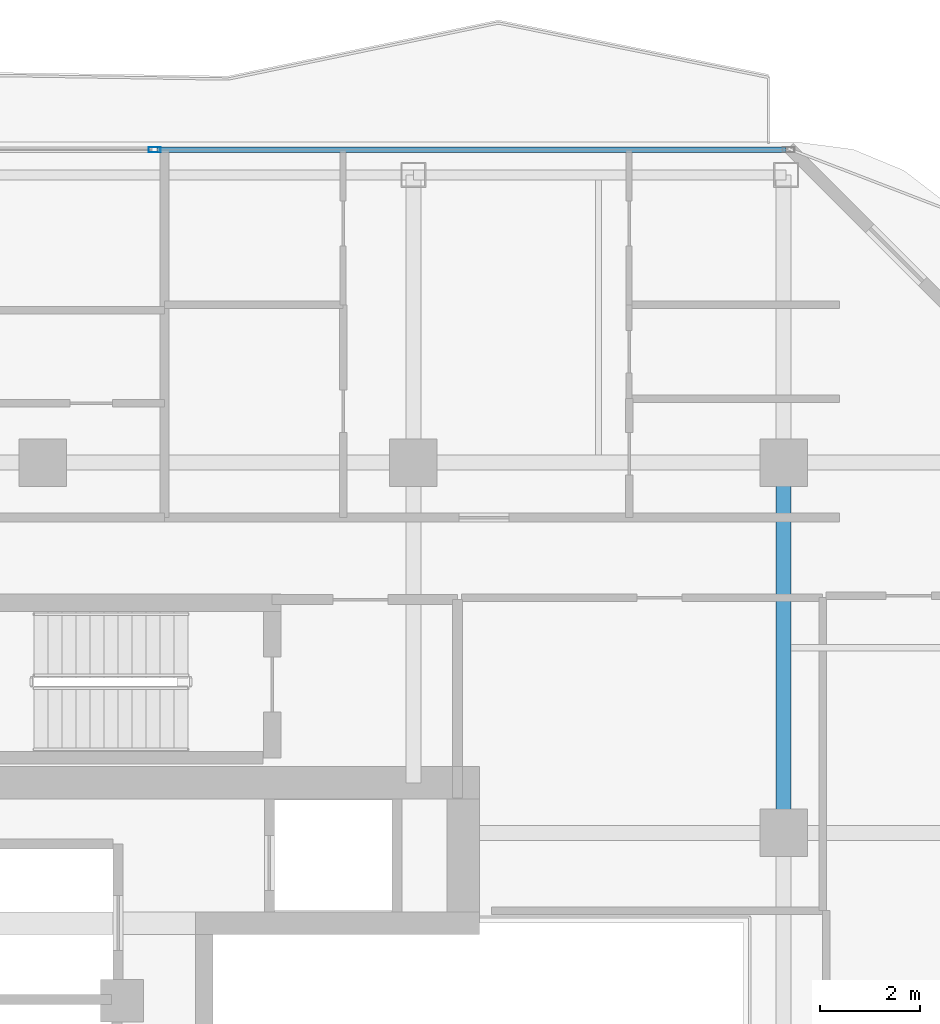
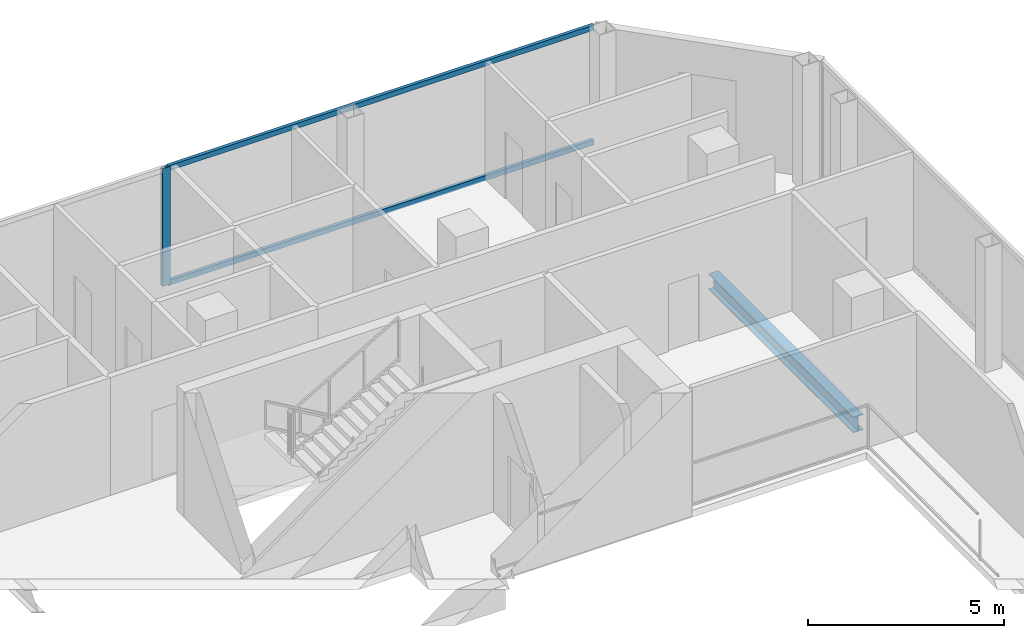
# One storey, part 13 of 23: 3 members, 1 beam, 1 element without a shape of its own.
"""IFC4 building model written with IfcOpenShell, lengths in metres."""

from ifc_helpers import new_model, si_unit, direction, frame, origin, origin_2d, place, context, subcontext, project, spatial, hollow_rectangle, i_section, extrude, material, layer, layer_set, material_profile, profile_set, type_object, element, aggregate, save


model = new_model("IFC4")

# Units and contexts
model_context = context("Model", 3, precision=1e-05, world=origin(), true_north=direction((0.0, 1.0)))
body_context = subcontext(model_context, "Body", "Model", "MODEL_VIEW")
ifc_project = project(units=[si_unit("LENGTHUNIT", "METRE"), si_unit("AREAUNIT", "SQUARE_METRE"), si_unit("VOLUMEUNIT", "CUBIC_METRE"), si_unit("PLANEANGLEUNIT", "RADIAN"), si_unit("MASSUNIT", "GRAM", prefix="KILO")], contexts=[model_context])

# Site, building, storey
site_placement = place(None, origin())
site = spatial("IfcSite", under=ifc_project, at=site_placement, CompositionType="ELEMENT")
building_placement = place(site_placement, origin())
building = spatial("IfcBuilding", under=site, at=building_placement, Name="Khorvyn Point Tower", CompositionType="ELEMENT")
storey_placement = place(building_placement, frame((0.0, 0.0, 297.60009765625)))
storey = spatial("IfcBuildingStorey", under=building, at=storey_placement, Name="L73", CompositionType="ELEMENT", Elevation=297.60009765625)

# Curtain wall, members
ifc_material_1 = material(Name="Anodised aluminium 6063-T6 and laminated Low-E glass", Category="aluminium")
ifc_layer = layer(ifc_material_1, 0.18994140625)
ifc_layer_set = layer_set([ifc_layer], Name="Stick-Built High-Wind Curtain Wall CW-SYS-04")
curtain_wall_type = type_object("IfcCurtainWallType", Name="Stick-Built High-Wind Curtain Wall CW-SYS-04", PredefinedType="NOTDEFINED", material=ifc_layer_set)
curtain_wall_placement = place(storey_placement, origin())
curtain_wall = element("IfcCurtainWall", 1, at=curtain_wall_placement, inside=storey, type_object=curtain_wall_type, Name="Curtain Wall", PredefinedType="NOTDEFINED")
ifc_material_2 = material(Name="Anodised aluminium 6063-T6", Category="aluminium")
ifc_material_profile_1 = material_profile(ifc_material_2, hollow_rectangle(XDim=0.10009765625, YDim=0.239990234375, WallThickness=0.0048828125, at=origin_2d()))
ifc_profile_set_1 = profile_set([ifc_material_profile_1], Name="Anodised aluminium 6063-T6 ALU-MUL-100x240")
member_type_1 = type_object("IfcMemberType", Name="Anodised Aluminium 6063-T6 Mullion ALU-MUL-100x240", PredefinedType="MULLION", material=ifc_profile_set_1)
member_1_placement = place(storey_placement, frame((2.22998046875, 21.050048828125, 0.0), z_axis=(0.0, 0.0, 1.0), x_axis=(0.0, 1.0, 0.0)))
member_1 = element("IfcMember", 2, at=member_1_placement, type_object=member_type_1, Name="Transom", PredefinedType="MULLION", context=body_context, shape_type="SweptSolid", body=[
    extrude(hollow_rectangle(XDim=0.10009765625, YDim=0.239990234375, WallThickness=0.0048828125, at=origin_2d()), origin(), (0.0, 0.0, 1.0), 3.679931640625),
])
ifc_material_profile_2 = material_profile(ifc_material_2, hollow_rectangle(XDim=0.10009765625, YDim=0.159912109375, WallThickness=0.00439453125, at=origin_2d()))
ifc_profile_set_2 = profile_set([ifc_material_profile_2], Name="Anodised aluminium 6063-T6 ALU-TRN-100x160")
member_type_2 = type_object("IfcMemberType", Name="Anodised Aluminium 6063-T6 Transom ALU-TRN-100x160", PredefinedType="USERDEFINED", material=ifc_profile_set_2)
member_2_placement = place(storey_placement, frame((2.280029296875, 21.050048828125, 0.0498046875), z_axis=(1.0, 0.0, 0.0), x_axis=(0.0, 1.0, 0.0)))
member_2 = element("IfcMember", 3, at=member_2_placement, type_object=member_type_2, Name="Transom", ObjectType="TRANSOM", PredefinedType="USERDEFINED", context=body_context, shape_type="SweptSolid", body=[
    extrude(hollow_rectangle(XDim=0.10009765625, YDim=0.159912109375, WallThickness=0.00439453125, at=origin_2d()), origin(), (0.0, 0.0, 1.0), 12.570068359375),
])
member_3_placement = place(storey_placement, frame((2.280029296875, 21.050048828125, 3.6298828125), z_axis=(1.0, 0.0, 0.0), x_axis=(0.0, 1.0, 0.0)))
member_3 = element("IfcMember", 4, at=member_3_placement, type_object=member_type_2, Name="Transom", ObjectType="TRANSOM", PredefinedType="USERDEFINED", context=body_context, shape_type="SweptSolid", body=[
    extrude(hollow_rectangle(XDim=0.10009765625, YDim=0.159912109375, WallThickness=0.00439453125, at=origin_2d()), origin(), (0.0, 0.0, 1.0), 12.570068359375),
])
aggregate(curtain_wall, [member_1, member_2, member_3])

# Beam
ifc_material_3 = material(Name="Steel S355", Category="steel")
ifc_material_profile_3 = material_profile(ifc_material_3, i_section(OverallWidth=0.300048828125, OverallDepth=0.488037109375, WebThickness=0.010986328125, FlangeThickness=0.01806640625, at=origin_2d()))
ifc_profile_set_3 = profile_set([ifc_material_profile_3], Name="Steel S355 H488x300x11x18")
beam_type = type_object("IfcBeamType", Name="Steel S355 Spandrel H488x300x11x18", PredefinedType="SPANDREL", material=ifc_profile_set_3)
beam_placement = place(storey_placement, frame((14.800048828125, 7.39990234375, -0.464111328125), z_axis=(0.0, 1.0, 0.0), x_axis=(-1.0, 0.0, 0.0)))
element("IfcBeam", 5, at=beam_placement, inside=storey, type_object=beam_type, Name="Beam", PredefinedType="SPANDREL", context=body_context, shape_type="SweptSolid", body=[
    extrude(i_section(OverallWidth=0.300048828125, OverallDepth=0.488037109375, WebThickness=0.010986328125, FlangeThickness=0.01806640625, at=origin_2d()), origin(), (0.0, 0.0, 1.0), 7.400146484375),
])

save(model, "model.ifc")
